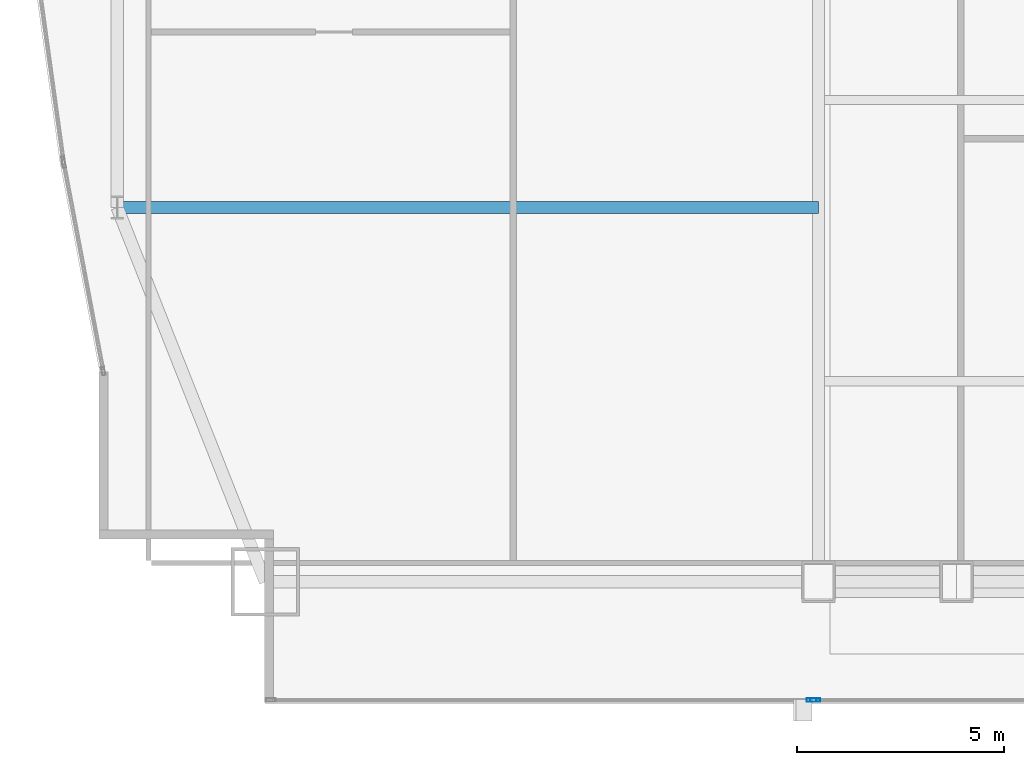
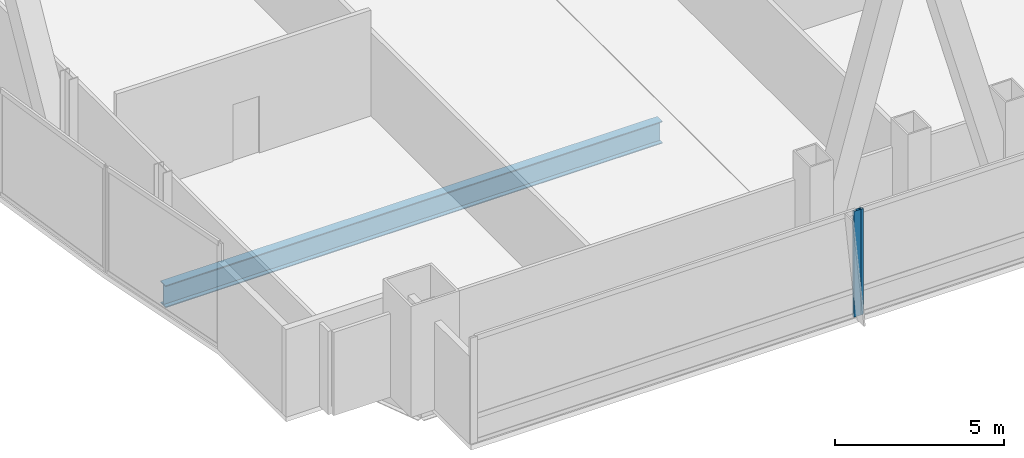
# One storey, part 7 of 37: 2 members, 1 beam, 2 elements without a shape of their own.
"""IFC4 building model written with IfcOpenShell, lengths in metres."""

import ifcopenshell
import ifcopenshell.guid

model = None  # the IFC model being written
_history = None  # IfcOwnerHistory: only IFC2X3 demands one
_inside = {}  # id of a spatial element -> (the spatial element, [elements in it])
_under = {}  # id of a project, library or spatial element -> (it, [spatial elements below it])
_declared = {}  # id of a project -> (the project, [libraries it declares])
_typed = {}  # id of a type object -> (the type object, [elements of that type])
_made_of = {}  # id of a material, layer set ... -> (it, [elements and type objects made of it])


def new_model(schema):
    """Start an empty IFC model of exactly this schema.

    Asked for "IFC4X3", IfcOpenShell would pick the latest addendum, in which some entities
    have other attributes; the version numbers below select the first issue.
    IFC2X3 requires an IfcOwnerHistory on every rooted entity: one is made here for all.
    """
    global model, _history
    if schema == "IFC4X3":
        model = ifcopenshell.file(schema_version=(4, 3, 0, 0))
    else:
        model = ifcopenshell.file(schema=schema)
    _inside.clear()
    _under.clear()
    _declared.clear()
    _typed.clear()
    _made_of.clear()
    _history = None
    if model.schema == "IFC2X3":
        org = make("IfcOrganization", Name="unknown")
        user = make(
            "IfcPersonAndOrganization",
            ThePerson=make("IfcPerson", FamilyName="unknown"),
            TheOrganization=org,
        )
        app = make(
            "IfcApplication",
            ApplicationDeveloper=org,
            Version="unknown",
            ApplicationFullName="unknown",
            ApplicationIdentifier="unknown",
        )
        _history = make(
            "IfcOwnerHistory",
            OwningUser=user,
            OwningApplication=app,
            ChangeAction="ADDED",
            CreationDate=0,
        )
    return model


def make(cls, **values):
    """One entity of the class cls with the attributes given. An attribute that is None is left unset."""
    return model.create_entity(
        cls, **{name: value for name, value in values.items() if value is not None}
    )


def rooted(cls, **values):
    """An entity with a GlobalId (a new one), such as an element, a storey or a relation."""
    return make(cls, GlobalId=ifcopenshell.guid.new(), OwnerHistory=_history, **values)


def si_unit(unit_type, name, prefix=None):
    """IfcSIUnit, for example si_unit("LENGTHUNIT", "METRE", prefix="MILLI")."""
    return make("IfcSIUnit", UnitType=unit_type, Prefix=prefix, Name=name)


def assignment(units):
    """IfcUnitAssignment: the units of a project."""
    return None if units is None else make("IfcUnitAssignment", Units=units)


def point(xyz):
    """IfcCartesianPoint."""
    return None if xyz is None else make("IfcCartesianPoint", Coordinates=xyz)


def direction(xyz):
    """IfcDirection."""
    return None if xyz is None else make("IfcDirection", DirectionRatios=xyz)


def frame(location, z_axis=None, x_axis=None):
    """IfcAxis2Placement3D, a coordinate frame: its origin and axes. An axis left out is left unset."""
    return make(
        "IfcAxis2Placement3D",
        Location=point(location),
        Axis=direction(z_axis),
        RefDirection=direction(x_axis),
    )


def frame_2d(location, x_axis=None):
    """IfcAxis2Placement2D, a coordinate frame in the plane: its origin and x axis."""
    return make(
        "IfcAxis2Placement2D", Location=point(location), RefDirection=direction(x_axis)
    )


def origin():
    """The frame at (0, 0, 0) with its axes left unset."""
    return frame((0.0, 0.0, 0.0))


def origin_2d():
    """The frame at (0, 0) in the plane with its x axis left unset."""
    return frame_2d((0.0, 0.0))


def place(relative_to, where):
    """IfcLocalPlacement: puts the frame where relative to a parent placement (None: the world)."""
    return make(
        "IfcLocalPlacement", PlacementRelTo=relative_to, RelativePlacement=where
    )


def context(
    kind, dimensions, precision=None, world=None, true_north=None, identifier=None
):
    """IfcGeometricRepresentationContext, for example the 3D "Model" context."""
    return make(
        "IfcGeometricRepresentationContext",
        ContextIdentifier=identifier,
        ContextType=kind,
        CoordinateSpaceDimension=dimensions,
        Precision=precision,
        WorldCoordinateSystem=world,
        TrueNorth=true_north,
    )


def subcontext(parent, identifier, kind, view, scale=None):
    """IfcGeometricRepresentationSubContext, for example "Body" below "Model"."""
    return make(
        "IfcGeometricRepresentationSubContext",
        ContextIdentifier=identifier,
        ContextType=kind,
        ParentContext=parent,
        TargetScale=scale,
        TargetView=view,
    )


def project(units=None, contexts=None):
    """IfcProject with its units and contexts."""
    return rooted(
        "IfcProject",
        Name="project",
        RepresentationContexts=contexts,
        UnitsInContext=assignment(units),
    )


def spatial(cls, under=None, at=None, **own):
    """A site, building, storey or space (cls), placed at a placement, below another one or the project."""
    s = rooted(cls, ObjectPlacement=at, **own)
    if under is not None:
        _under.setdefault(under.id(), (under, []))[1].append(s)
    return s


def profile(cls, at=None, kind="AREA", **sizes):
    """A parametric profile (cls). Its sizes go by their IFC names, for example OverallWidth=200.0."""
    return make(cls, ProfileType=kind, Position=at, **sizes)


def hollow_rectangle(**sizes):
    """IfcRectangleHollowProfileDef."""
    return profile("IfcRectangleHollowProfileDef", **sizes)


def i_section(**sizes):
    """IfcIShapeProfileDef."""
    return profile("IfcIShapeProfileDef", **sizes)


def extrude(swept, where, along, depth):
    """IfcExtrudedAreaSolid: the profile swept, set in the frame where, extruded along a direction by depth."""
    return make(
        "IfcExtrudedAreaSolid",
        SweptArea=swept,
        Position=where,
        ExtrudedDirection=direction(along),
        Depth=depth,
    )


def shape(context_of_items, identifier, shape_type, items):
    """IfcShapeRepresentation: the items that make up one representation, for example the "Body"."""
    return make(
        "IfcShapeRepresentation",
        ContextOfItems=context_of_items,
        RepresentationIdentifier=identifier,
        RepresentationType=shape_type,
        Items=items,
    )


def material(Name=None, Category=None):
    """IfcMaterial."""
    return make("IfcMaterial", Name=Name, Category=Category)


def material_profile(
    of_material, cross_section, Name=None, Category=None, Priority=None
):
    """IfcMaterialProfile: a cross section and its material."""
    return make(
        "IfcMaterialProfile",
        Name=Name,
        Material=of_material,
        Profile=cross_section,
        Priority=Priority,
        Category=Category,
    )


def profile_set(profiles, Name=None, composite=None):
    """IfcMaterialProfileSet."""
    return make(
        "IfcMaterialProfileSet",
        Name=Name,
        MaterialProfiles=profiles,
        CompositeProfile=composite,
    )


def made_of(thing, what):
    """Note that an element or type object is made of a material, layer set ...; save() writes the relation."""
    if what is not None:
        _made_of.setdefault(what.id(), (what, []))[1].append(thing)
    return thing


def type_object(cls, material=None, **own):
    """A type object (cls), such as IfcWallType, which elements share."""
    return made_of(rooted(cls, **own), material)


def element(
    cls,
    number,
    at=None,
    inside=None,
    cuts=None,
    type_object=None,
    material=None,
    context=None,
    identifier="Body",
    shape_type=None,
    held_by="IfcProductDefinitionShape",
    body=None,
    shapes=None,
    **own,
):
    """One element of the class cls, such as IfcWall. Its Tag is "e" and its number.

    at: its placement. inside: the storey or other place that contains it. cuts: it is an
    opening in that element (IfcRelVoidsElement). A single representation is given by context,
    identifier, shape_type and body (its items); several are given by shapes. held_by: the class
    of the entity that holds the representations. save() writes the other relations.
    """
    e = rooted(cls, Tag="e%d" % number, ObjectPlacement=at, **own)
    if body is not None:
        shapes = [shape(context, identifier, shape_type, body)]
    if shapes is not None:
        e.Representation = make(held_by, Representations=shapes)
    if inside is not None:
        _inside.setdefault(inside.id(), (inside, []))[1].append(e)
    if cuts is not None:
        rooted(
            "IfcRelVoidsElement", RelatingBuildingElement=cuts, RelatedOpeningElement=e
        )
    if type_object is not None:
        _typed.setdefault(type_object.id(), (type_object, []))[1].append(e)
    return made_of(e, material)


def aggregate(whole, parts):
    """IfcRelAggregates: a whole, such as a stair, and the parts it consists of."""
    return rooted("IfcRelAggregates", RelatingObject=whole, RelatedObjects=parts)


def save(model, path):
    """Write the relations noted so far, then the file.

    IfcRelAggregates (storeys below a building ...), IfcRelContainedInSpatialStructure (elements
    in a storey), IfcRelDefinesByType, IfcRelAssociatesMaterial and IfcRelDeclares: one each for
    every whole, place, type object, material and project.
    """
    for whole, parts in _under.values():
        aggregate(whole, parts)
    for where, things in _inside.values():
        rooted(
            "IfcRelContainedInSpatialStructure",
            RelatedElements=things,
            RelatingStructure=where,
        )
    for kind, things in _typed.values():
        rooted("IfcRelDefinesByType", RelatedObjects=things, RelatingType=kind)
    for what, things in _made_of.values():
        rooted("IfcRelAssociatesMaterial", RelatedObjects=things, RelatingMaterial=what)
    for by, libraries in _declared.values():
        rooted("IfcRelDeclares", RelatingContext=by, RelatedDefinitions=libraries)
    model.write(path)


model = new_model("IFC4")

# Units and contexts
model_context = context("Model", 3, precision=1e-05, world=origin(), true_north=direction((0.0, 1.0)))
body_context = subcontext(model_context, "Body", "Model", "MODEL_VIEW")
ifc_project = project(units=[si_unit("LENGTHUNIT", "METRE"), si_unit("AREAUNIT", "SQUARE_METRE"), si_unit("VOLUMEUNIT", "CUBIC_METRE"), si_unit("PLANEANGLEUNIT", "RADIAN"), si_unit("MASSUNIT", "GRAM", prefix="KILO")], contexts=[model_context])

# Site, building, storey
site_placement = place(None, origin())
site = spatial("IfcSite", under=ifc_project, at=site_placement, CompositionType="ELEMENT")
building_placement = place(site_placement, origin())
building = spatial("IfcBuilding", under=site, at=building_placement, Name="Khoronbel Lancet Exchange", CompositionType="ELEMENT")
storey_placement = place(building_placement, frame((0.0, 0.0, 61.800048828125)))
storey = spatial("IfcBuildingStorey", under=building, at=storey_placement, Name="L14", CompositionType="ELEMENT", Elevation=61.800048828125)

# Beam
ifc_material_1 = material(Name="Steel S355", Category="steel")
ifc_material_profile_1 = material_profile(ifc_material_1, i_section(OverallWidth=0.300048828125, OverallDepth=0.800048828125, WebThickness=0.017578125, FlangeThickness=0.032958984375, at=origin_2d()), Name="HEB 800")
ifc_profile_set_1 = profile_set([ifc_material_profile_1], Name="Steel S355")
beam_type = type_object("IfcBeamType", Name="BM-BG2", PredefinedType="BEAM", material=ifc_profile_set_1)
beam_placement = place(storey_placement, frame((1.27001953125, 19.199951171875, -0.580078125), z_axis=(1.0, 0.0, 0.0), x_axis=(0.0, 1.0, 0.0)))
element("IfcBeam", 1, at=beam_placement, inside=storey, type_object=beam_type, Name="Level L14 west lens tie girder LG1W", PredefinedType="BEAM", context=body_context, shape_type="SweptSolid", body=[
    extrude(i_section(OverallWidth=0.300048828125, OverallDepth=0.800048828125, WebThickness=0.017578125, FlangeThickness=0.032958984375, at=origin_2d()), origin(), (0.0, 0.0, 1.0), 16.955078125),
])

# Curtain wall, member
ifc_material_2 = material(Name="Low-E Solar Control Insulating Glass", Category="glass")
curtain_wall_type = type_object("IfcCurtainWallType", Name="CW-1", PredefinedType="NOTDEFINED", material=ifc_material_2)
curtain_wall_1_placement = place(storey_placement, origin())
curtain_wall_1 = element("IfcCurtainWall", 2, at=curtain_wall_1_placement, inside=storey, type_object=curtain_wall_type, Name="Unitised curtain wall CW-L14-SWV", PredefinedType="NOTDEFINED")
ifc_material_3 = material(Name="Bronze-Anodised Aluminium 6063-T6", Category="aluminium")
ifc_material_profile_2 = material_profile(ifc_material_3, hollow_rectangle(XDim=0.0849609375, YDim=0.239990234375, WallThickness=0.006103515625, at=origin_2d()), Name="ALU MULLION 85x240")
ifc_profile_set_2 = profile_set([ifc_material_profile_2], Name="Bronze-Anodised Aluminium 6063-T6")
member_type = type_object("IfcMemberType", Name="MEM-CWM1", PredefinedType="MULLION", material=ifc_profile_set_2)
member_1_placement = place(storey_placement, frame((18.0576171875, 7.2900390625, 0.0), z_axis=(0.0, 0.0, 1.0), x_axis=(0.0, 1.0, 0.0)))
member_1 = element("IfcMember", 3, at=member_1_placement, type_object=member_type, Name="CW1 mullion 2", PredefinedType="MULLION", context=body_context, shape_type="SweptSolid", body=[
    extrude(hollow_rectangle(XDim=0.0849609375, YDim=0.239990234375, WallThickness=0.006103515625, at=origin_2d()), origin(), (0.0, 0.0, 1.0), 3.820068359375),
])
aggregate(curtain_wall_1, [member_1])

curtain_wall_2_placement = place(storey_placement, origin())
curtain_wall_2 = element("IfcCurtainWall", 4, at=curtain_wall_2_placement, inside=storey, type_object=curtain_wall_type, Name="Unitised curtain wall CW-L14-SWB", PredefinedType="NOTDEFINED")
member_2_placement = place(storey_placement, frame((18.142578125, 7.2900390625, 0.0), z_axis=(0.0, 0.0, 1.0), x_axis=(0.0, 1.0, 0.0)))
member_2 = element("IfcMember", 5, at=member_2_placement, type_object=member_type, Name="CW1 mullion 1", PredefinedType="MULLION", context=body_context, shape_type="SweptSolid", body=[
    extrude(hollow_rectangle(XDim=0.0849609375, YDim=0.239990234375, WallThickness=0.006103515625, at=origin_2d()), origin(), (0.0, 0.0, 1.0), 3.820068359375),
])
aggregate(curtain_wall_2, [member_2])

save(model, "model.ifc")
